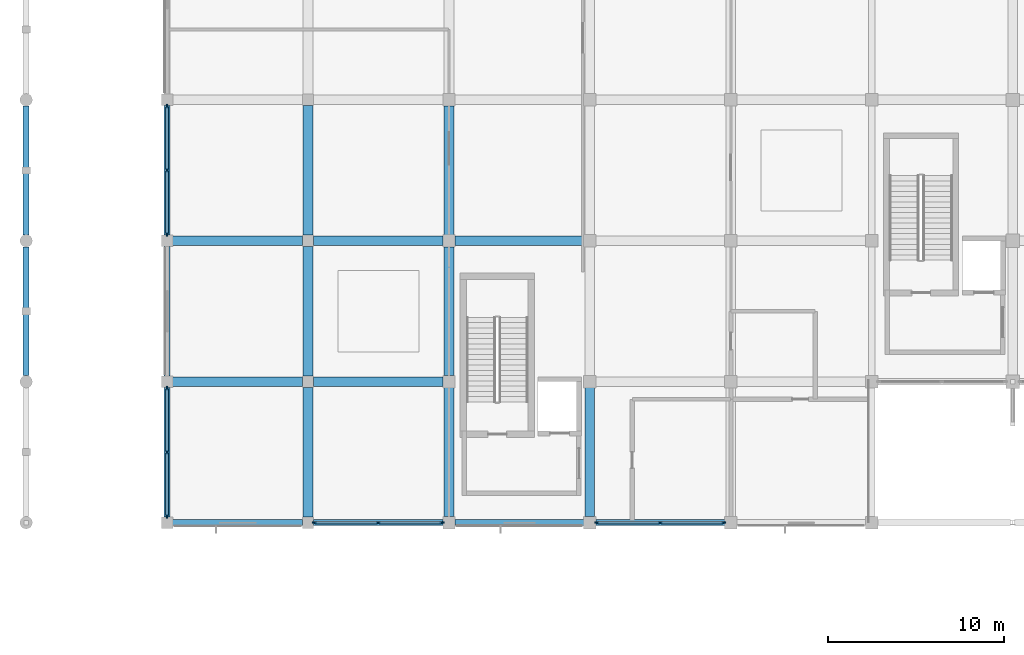
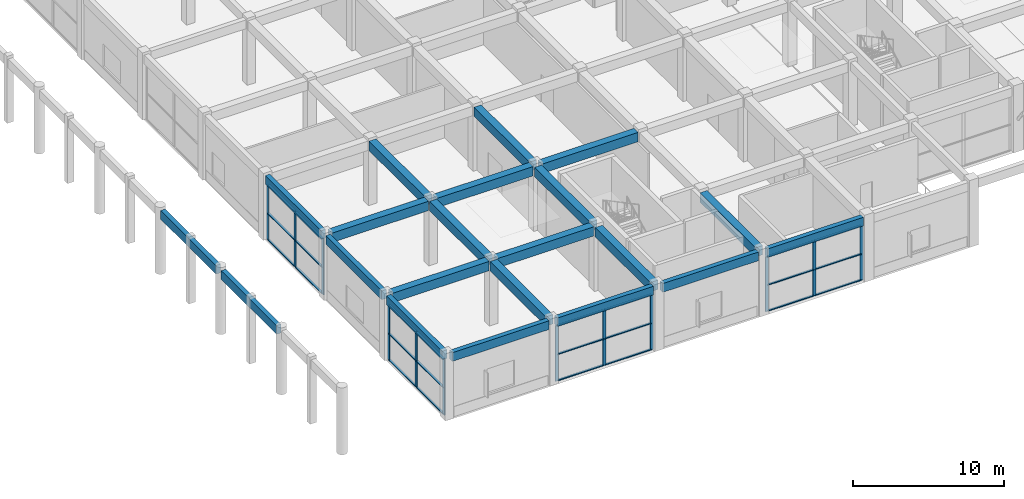
# One storey, part 9 of 69: 36 members, 21 beams, 4 elements without a shape of their own.
"""IFC4 building model written with IfcOpenShell, lengths in metres."""

from ifc_helpers import new_model, si_unit, direction, frame, origin, origin_2d, place, context, subcontext, project, spatial, rectangle, extrude, material, material_profile, profile_set, type_object, element, aggregate, save


model = new_model("IFC4")

# Units and contexts
model_context = context("Model", 3, precision=1e-05, world=origin(), true_north=direction((0.0, 1.0)))
body_context = subcontext(model_context, "Body", "Model", "MODEL_VIEW")
ifc_project = project(units=[si_unit("LENGTHUNIT", "METRE"), si_unit("AREAUNIT", "SQUARE_METRE"), si_unit("VOLUMEUNIT", "CUBIC_METRE"), si_unit("PLANEANGLEUNIT", "RADIAN"), si_unit("MASSUNIT", "GRAM", prefix="KILO")], contexts=[model_context])

# Site, building, storey
site_placement = place(None, origin())
site = spatial("IfcSite", under=ifc_project, at=site_placement, CompositionType="ELEMENT")
building_placement = place(site_placement, origin())
building = spatial("IfcBuilding", under=site, at=building_placement, Name="Kenh Van Central Station", CompositionType="ELEMENT")
storey_placement = place(building_placement, frame((0.0, 0.0, 5.39990234375)))
storey = spatial("IfcBuildingStorey", under=building, at=storey_placement, Name="L01", CompositionType="ELEMENT", Elevation=5.39990234375)

# Beams
ifc_material_1 = material(Name="Concrete C35/45", Category="concrete")
ifc_material_profile_1 = material_profile(ifc_material_1, rectangle(XDim=0.550048828125, YDim=0.75, at=origin_2d()), Name="RC 550x750")
ifc_profile_set_1 = profile_set([ifc_material_profile_1], Name="Concrete C35/45")
beam_type_1 = type_object("IfcBeamType", Name="BM-RC-550x750", PredefinedType="BEAM", material=ifc_profile_set_1)
beam_1_placement = place(storey_placement, frame((8.31494140625, 16.0, 4.81005859375), z_axis=(1.0, 0.0, 0.0), x_axis=(0.0, 1.0, 0.0)))
element("IfcBeam", 1, at=beam_1_placement, inside=storey, type_object=beam_type_1, Name="L01 beam 0637", PredefinedType="BEAM", context=body_context, shape_type="SweptSolid", body=[
    extrude(rectangle(XDim=0.550048828125, YDim=0.75, at=origin_2d()), origin(), (0.0, 0.0, 1.0), 7.3701171875),
])
beam_2_placement = place(storey_placement, frame((16.31494140625, 16.0, 4.81005859375), z_axis=(1.0, 0.0, 0.0), x_axis=(0.0, 1.0, 0.0)))
element("IfcBeam", 2, at=beam_2_placement, inside=storey, type_object=beam_type_1, Name="L01 beam 0638", PredefinedType="BEAM", context=body_context, shape_type="SweptSolid", body=[
    extrude(rectangle(XDim=0.550048828125, YDim=0.75, at=origin_2d()), origin(), (0.0, 0.0, 1.0), 7.344970703125),
])
beam_3_placement = place(storey_placement, frame((8.31494140625, 24.0, 4.81005859375), z_axis=(1.0, 0.0, 0.0), x_axis=(0.0, 1.0, 0.0)))
element("IfcBeam", 3, at=beam_3_placement, inside=storey, type_object=beam_type_1, Name="L01 beam 0656", PredefinedType="BEAM", context=body_context, shape_type="SweptSolid", body=[
    extrude(rectangle(XDim=0.550048828125, YDim=0.75, at=origin_2d()), origin(), (0.0, 0.0, 1.0), 7.3701171875),
])
beam_4_placement = place(storey_placement, frame((16.31494140625, 24.0, 4.81005859375), z_axis=(1.0, 0.0, 0.0), x_axis=(0.0, 1.0, 0.0)))
element("IfcBeam", 4, at=beam_4_placement, inside=storey, type_object=beam_type_1, Name="L01 beam 0657", PredefinedType="BEAM", context=body_context, shape_type="SweptSolid", body=[
    extrude(rectangle(XDim=0.550048828125, YDim=0.75, at=origin_2d()), origin(), (0.0, 0.0, 1.0), 7.344970703125),
])
beam_5_placement = place(storey_placement, frame((24.340087890625, 24.0, 4.76513671875), z_axis=(1.0, 0.0, 0.0), x_axis=(0.0, 1.0, 0.0)))
element("IfcBeam", 5, at=beam_5_placement, inside=storey, type_object=beam_type_1, Name="L01 beam 0658", PredefinedType="BEAM", context=body_context, shape_type="SweptSolid", body=[
    extrude(rectangle(XDim=0.550048828125, YDim=0.75, at=origin_2d()), origin(), (0.0, 0.0, 1.0), 7.31982421875),
])
for number, where, z_axis, x_axis, name in (
    (6, (16.0, 8.31494140625, 4.81005859375), (0.0, 1.0, 0.0), (-1.0, 0.0, 0.0), "L01 beam 0771"),
    (7, (16.0, 16.31494140625, 4.81005859375), (0.0, 1.0, 0.0), (-1.0, 0.0, 0.0), "L01 beam 0772"),
    (8, (16.0, 24.31494140625, 4.81005859375), (0.0, 1.0, 0.0), (-1.0, 0.0, 0.0), "L01 beam 0773"),
):
    element("IfcBeam", number, at=place(storey_placement, frame(where, z_axis=z_axis, x_axis=x_axis)), inside=storey, type_object=beam_type_1, Name=name, PredefinedType="BEAM", context=body_context, shape_type="SweptSolid", body=[
        extrude(rectangle(XDim=0.550048828125, YDim=0.75, at=origin_2d()), origin(), (0.0, 0.0, 1.0), 7.3701171875),
    ])
for number, where, z_axis, x_axis, name in (
    (9, (24.0, 8.340087890625, 4.76513671875), (0.0, 1.0, 0.0), (-1.0, 0.0, 0.0), "L01 beam 0778"),
    (10, (24.0, 16.340087890625, 4.76513671875), (0.0, 1.0, 0.0), (-1.0, 0.0, 0.0), "L01 beam 0779"),
    (11, (24.0, 24.340087890625, 4.76513671875), (0.0, 1.0, 0.0), (-1.0, 0.0, 0.0), "L01 beam 0780"),
    (12, (32.0, 8.340087890625, 4.76513671875), (0.0, 1.0, 0.0), (-1.0, 0.0, 0.0), "L01 beam 0785"),
):
    element("IfcBeam", number, at=place(storey_placement, frame(where, z_axis=z_axis, x_axis=x_axis)), inside=storey, type_object=beam_type_1, Name=name, PredefinedType="BEAM", context=body_context, shape_type="SweptSolid", body=[
        extrude(rectangle(XDim=0.550048828125, YDim=0.75, at=origin_2d()), origin(), (0.0, 0.0, 1.0), 7.31982421875),
    ])

# Curtain wall, members
ifc_material_2 = material(Name="Champagne anodised aluminium", Category="aluminium")
curtain_wall_type_1 = type_object("IfcCurtainWallType", Name="CW-RETL-B", PredefinedType="NOTDEFINED", material=ifc_material_2)
curtain_wall_1_placement = place(storey_placement, origin())
curtain_wall_1 = element("IfcCurtainWall", 13, at=curtain_wall_1_placement, inside=storey, type_object=curtain_wall_type_1, Name="L01 curtain wall 124", PredefinedType="NOTDEFINED")
ifc_material_profile_2 = material_profile(ifc_material_2, rectangle(XDim=0.0849609375, YDim=0.23193359375, at=origin_2d()), Name="AL 85x232")
ifc_profile_set_2 = profile_set([ifc_material_profile_2], Name="Champagne anodised aluminium")
member_type_1 = type_object("IfcMemberType", Name="CWM-65x160", PredefinedType="MULLION", material=ifc_profile_set_2)
member_1_placement = place(storey_placement, frame((16.367431640625, 8.0, 0.0), z_axis=(0.0, 0.0, 1.0), x_axis=(0.0, 1.0, 0.0)))
member_1 = element("IfcMember", 14, at=member_1_placement, type_object=member_type_1, Name="CW-06 mullion 1", PredefinedType="MULLION", context=body_context, shape_type="SweptSolid", body=[
    extrude(rectangle(XDim=0.0849609375, YDim=0.23193359375, at=origin_2d()), origin(), (0.0, 0.0, 1.0), 4.485107421875),
])
member_2_placement = place(storey_placement, frame((19.987548828125, 8.0, 0.0), z_axis=(0.0, 0.0, 1.0), x_axis=(0.0, 1.0, 0.0)))
member_2 = element("IfcMember", 15, at=member_2_placement, type_object=member_type_1, Name="CW-06 mullion 2", PredefinedType="MULLION", context=body_context, shape_type="SweptSolid", body=[
    extrude(rectangle(XDim=0.0849609375, YDim=0.23193359375, at=origin_2d()), origin(), (0.0, 0.0, 1.0), 4.485107421875),
])
member_3_placement = place(storey_placement, frame((23.607421875, 8.0, 0.0), z_axis=(0.0, 0.0, 1.0), x_axis=(0.0, 1.0, 0.0)))
member_3 = element("IfcMember", 16, at=member_3_placement, type_object=member_type_1, Name="CW-06 mullion 3", PredefinedType="MULLION", context=body_context, shape_type="SweptSolid", body=[
    extrude(rectangle(XDim=0.0849609375, YDim=0.23193359375, at=origin_2d()), origin(), (0.0, 0.0, 1.0), 4.485107421875),
])

curtain_wall_2_placement = place(storey_placement, origin())
curtain_wall_2 = element("IfcCurtainWall", 17, at=curtain_wall_2_placement, inside=storey, type_object=curtain_wall_type_1, Name="L01 curtain wall 125", PredefinedType="NOTDEFINED")
member_4_placement = place(storey_placement, frame((32.392578125, 8.0, 0.0), z_axis=(0.0, 0.0, 1.0), x_axis=(0.0, 1.0, 0.0)))
member_4 = element("IfcMember", 18, at=member_4_placement, type_object=member_type_1, Name="CW-06 mullion 1", PredefinedType="MULLION", context=body_context, shape_type="SweptSolid", body=[
    extrude(rectangle(XDim=0.0849609375, YDim=0.23193359375, at=origin_2d()), origin(), (0.0, 0.0, 1.0), 4.440185546875),
])
member_5_placement = place(storey_placement, frame((36.0, 8.0, 0.0), z_axis=(0.0, 0.0, 1.0), x_axis=(0.0, 1.0, 0.0)))
member_5 = element("IfcMember", 19, at=member_5_placement, type_object=member_type_1, Name="CW-06 mullion 2", PredefinedType="MULLION", context=body_context, shape_type="SweptSolid", body=[
    extrude(rectangle(XDim=0.0849609375, YDim=0.23193359375, at=origin_2d()), origin(), (0.0, 0.0, 1.0), 4.440185546875),
])
member_6_placement = place(storey_placement, frame((39.607421875, 8.0, 0.0), z_axis=(0.0, 0.0, 1.0), x_axis=(0.0, 1.0, 0.0)))
member_6 = element("IfcMember", 20, at=member_6_placement, type_object=member_type_1, Name="CW-06 mullion 3", PredefinedType="MULLION", context=body_context, shape_type="SweptSolid", body=[
    extrude(rectangle(XDim=0.0849609375, YDim=0.23193359375, at=origin_2d()), origin(), (0.0, 0.0, 1.0), 4.440185546875),
])

curtain_wall_type_2 = type_object("IfcCurtainWallType", Name="CW-RETL-A", PredefinedType="NOTDEFINED", material=ifc_material_2)
curtain_wall_3_placement = place(storey_placement, origin())
curtain_wall_3 = element("IfcCurtainWall", 21, at=curtain_wall_3_placement, inside=storey, type_object=curtain_wall_type_2, Name="L01 curtain wall 128", PredefinedType="NOTDEFINED")
member_7_placement = place(storey_placement, frame((8.0, 31.632568359375, 0.0), z_axis=(0.0, 0.0, 1.0), x_axis=(1.0, 0.0, 0.0)))
member_7 = element("IfcMember", 22, at=member_7_placement, type_object=member_type_1, Name="CW-05 mullion 1", PredefinedType="MULLION", context=body_context, shape_type="SweptSolid", body=[
    extrude(rectangle(XDim=0.0849609375, YDim=0.23193359375, at=origin_2d()), origin(), (0.0, 0.0, 1.0), 4.485107421875),
])
member_8_placement = place(storey_placement, frame((8.0, 28.0, 0.0), z_axis=(0.0, 0.0, 1.0), x_axis=(1.0, 0.0, 0.0)))
member_8 = element("IfcMember", 23, at=member_8_placement, type_object=member_type_1, Name="CW-05 mullion 2", PredefinedType="MULLION", context=body_context, shape_type="SweptSolid", body=[
    extrude(rectangle(XDim=0.0849609375, YDim=0.23193359375, at=origin_2d()), origin(), (0.0, 0.0, 1.0), 4.485107421875),
])
member_9_placement = place(storey_placement, frame((8.0, 24.367431640625, 0.0), z_axis=(0.0, 0.0, 1.0), x_axis=(1.0, 0.0, 0.0)))
member_9 = element("IfcMember", 24, at=member_9_placement, type_object=member_type_1, Name="CW-05 mullion 3", PredefinedType="MULLION", context=body_context, shape_type="SweptSolid", body=[
    extrude(rectangle(XDim=0.0849609375, YDim=0.23193359375, at=origin_2d()), origin(), (0.0, 0.0, 1.0), 4.485107421875),
])

curtain_wall_4_placement = place(storey_placement, origin())
curtain_wall_4 = element("IfcCurtainWall", 25, at=curtain_wall_4_placement, inside=storey, type_object=curtain_wall_type_2, Name="L01 curtain wall 129", PredefinedType="NOTDEFINED")
member_10_placement = place(storey_placement, frame((8.0, 15.632568359375, 0.0), z_axis=(0.0, 0.0, 1.0), x_axis=(1.0, 0.0, 0.0)))
member_10 = element("IfcMember", 26, at=member_10_placement, type_object=member_type_1, Name="CW-05 mullion 1", PredefinedType="MULLION", context=body_context, shape_type="SweptSolid", body=[
    extrude(rectangle(XDim=0.0849609375, YDim=0.23193359375, at=origin_2d()), origin(), (0.0, 0.0, 1.0), 4.485107421875),
])
member_11_placement = place(storey_placement, frame((8.0, 12.0, 0.0), z_axis=(0.0, 0.0, 1.0), x_axis=(1.0, 0.0, 0.0)))
member_11 = element("IfcMember", 27, at=member_11_placement, type_object=member_type_1, Name="CW-05 mullion 2", PredefinedType="MULLION", context=body_context, shape_type="SweptSolid", body=[
    extrude(rectangle(XDim=0.0849609375, YDim=0.23193359375, at=origin_2d()), origin(), (0.0, 0.0, 1.0), 4.485107421875),
])
member_12_placement = place(storey_placement, frame((8.0, 8.367431640625, 0.0), z_axis=(0.0, 0.0, 1.0), x_axis=(1.0, 0.0, 0.0)))
member_12 = element("IfcMember", 28, at=member_12_placement, type_object=member_type_1, Name="CW-05 mullion 3", PredefinedType="MULLION", context=body_context, shape_type="SweptSolid", body=[
    extrude(rectangle(XDim=0.0849609375, YDim=0.23193359375, at=origin_2d()), origin(), (0.0, 0.0, 1.0), 4.485107421875),
])

# Member
ifc_material_profile_3 = material_profile(ifc_material_2, rectangle(XDim=0.155029296875, YDim=0.072021484375, at=origin_2d()), Name="AL 155x72")
ifc_profile_set_3 = profile_set([ifc_material_profile_3], Name="Champagne anodised aluminium")
member_type_2 = type_object("IfcMemberType", Name="CWT-120x60", PredefinedType="USERDEFINED", material=ifc_profile_set_3)
member_13_placement = place(storey_placement, frame((16.409912109375, 8.0, 0.0361328125), z_axis=(1.0, 0.0, 0.0), x_axis=(0.0, 1.0, 0.0)))
member_13 = element("IfcMember", 29, at=member_13_placement, type_object=member_type_2, Name="CW-06 transom 1.1", ObjectType="TRANSOM", PredefinedType="USERDEFINED", context=body_context, shape_type="SweptSolid", body=[
    extrude(rectangle(XDim=0.155029296875, YDim=0.072021484375, at=origin_2d()), origin(), (0.0, 0.0, 1.0), 3.53515625),
])

member_14_placement = place(storey_placement, frame((16.409912109375, 8.0, 2.15283203125), z_axis=(1.0, 0.0, 0.0), x_axis=(0.0, 1.0, 0.0)))
member_14 = element("IfcMember", 30, at=member_14_placement, type_object=member_type_2, Name="CW-06 transom 1.2", ObjectType="TRANSOM", PredefinedType="USERDEFINED", context=body_context, shape_type="SweptSolid", body=[
    extrude(rectangle(XDim=0.155029296875, YDim=0.072021484375, at=origin_2d()), origin(), (0.0, 0.0, 1.0), 3.53515625),
])

member_15_placement = place(storey_placement, frame((16.409912109375, 8.0, 4.44921875), z_axis=(1.0, 0.0, 0.0), x_axis=(0.0, 1.0, 0.0)))
member_15 = element("IfcMember", 31, at=member_15_placement, type_object=member_type_2, Name="CW-06 transom 1.3", ObjectType="TRANSOM", PredefinedType="USERDEFINED", context=body_context, shape_type="SweptSolid", body=[
    extrude(rectangle(XDim=0.155029296875, YDim=0.072021484375, at=origin_2d()), origin(), (0.0, 0.0, 1.0), 3.53515625),
])

member_16_placement = place(storey_placement, frame((20.030029296875, 8.0, 0.0361328125), z_axis=(1.0, 0.0, 0.0), x_axis=(0.0, 1.0, 0.0)))
member_16 = element("IfcMember", 32, at=member_16_placement, type_object=member_type_2, Name="CW-06 transom 2.1", ObjectType="TRANSOM", PredefinedType="USERDEFINED", context=body_context, shape_type="SweptSolid", body=[
    extrude(rectangle(XDim=0.155029296875, YDim=0.072021484375, at=origin_2d()), origin(), (0.0, 0.0, 1.0), 3.534912109375),
])

member_17_placement = place(storey_placement, frame((20.030029296875, 8.0, 2.15283203125), z_axis=(1.0, 0.0, 0.0), x_axis=(0.0, 1.0, 0.0)))
member_17 = element("IfcMember", 33, at=member_17_placement, type_object=member_type_2, Name="CW-06 transom 2.2", ObjectType="TRANSOM", PredefinedType="USERDEFINED", context=body_context, shape_type="SweptSolid", body=[
    extrude(rectangle(XDim=0.155029296875, YDim=0.072021484375, at=origin_2d()), origin(), (0.0, 0.0, 1.0), 3.534912109375),
])

member_18_placement = place(storey_placement, frame((20.030029296875, 8.0, 4.44921875), z_axis=(1.0, 0.0, 0.0), x_axis=(0.0, 1.0, 0.0)))
member_18 = element("IfcMember", 34, at=member_18_placement, type_object=member_type_2, Name="CW-06 transom 2.3", ObjectType="TRANSOM", PredefinedType="USERDEFINED", context=body_context, shape_type="SweptSolid", body=[
    extrude(rectangle(XDim=0.155029296875, YDim=0.072021484375, at=origin_2d()), origin(), (0.0, 0.0, 1.0), 3.534912109375),
])

aggregate(curtain_wall_1, [member_1, member_2, member_3, member_13, member_14, member_15, member_16, member_17, member_18])

member_19_placement = place(storey_placement, frame((32.43505859375, 8.0, 0.0361328125), z_axis=(1.0, 0.0, 0.0), x_axis=(0.0, 1.0, 0.0)))
member_19 = element("IfcMember", 35, at=member_19_placement, type_object=member_type_2, Name="CW-06 transom 1.1", ObjectType="TRANSOM", PredefinedType="USERDEFINED", context=body_context, shape_type="SweptSolid", body=[
    extrude(rectangle(XDim=0.155029296875, YDim=0.072021484375, at=origin_2d()), origin(), (0.0, 0.0, 1.0), 3.5224609375),
])

member_20_placement = place(storey_placement, frame((32.43505859375, 8.0, 2.13134765625), z_axis=(1.0, 0.0, 0.0), x_axis=(0.0, 1.0, 0.0)))
member_20 = element("IfcMember", 36, at=member_20_placement, type_object=member_type_2, Name="CW-06 transom 1.2", ObjectType="TRANSOM", PredefinedType="USERDEFINED", context=body_context, shape_type="SweptSolid", body=[
    extrude(rectangle(XDim=0.155029296875, YDim=0.072021484375, at=origin_2d()), origin(), (0.0, 0.0, 1.0), 3.5224609375),
])

member_21_placement = place(storey_placement, frame((32.43505859375, 8.0, 4.404052734375), z_axis=(1.0, 0.0, 0.0), x_axis=(0.0, 1.0, 0.0)))
member_21 = element("IfcMember", 37, at=member_21_placement, type_object=member_type_2, Name="CW-06 transom 1.3", ObjectType="TRANSOM", PredefinedType="USERDEFINED", context=body_context, shape_type="SweptSolid", body=[
    extrude(rectangle(XDim=0.155029296875, YDim=0.072021484375, at=origin_2d()), origin(), (0.0, 0.0, 1.0), 3.5224609375),
])

member_22_placement = place(storey_placement, frame((36.04248046875, 8.0, 0.0361328125), z_axis=(1.0, 0.0, 0.0), x_axis=(0.0, 1.0, 0.0)))
member_22 = element("IfcMember", 38, at=member_22_placement, type_object=member_type_2, Name="CW-06 transom 2.1", ObjectType="TRANSOM", PredefinedType="USERDEFINED", context=body_context, shape_type="SweptSolid", body=[
    extrude(rectangle(XDim=0.155029296875, YDim=0.072021484375, at=origin_2d()), origin(), (0.0, 0.0, 1.0), 3.5224609375),
])

member_23_placement = place(storey_placement, frame((36.04248046875, 8.0, 2.13134765625), z_axis=(1.0, 0.0, 0.0), x_axis=(0.0, 1.0, 0.0)))
member_23 = element("IfcMember", 39, at=member_23_placement, type_object=member_type_2, Name="CW-06 transom 2.2", ObjectType="TRANSOM", PredefinedType="USERDEFINED", context=body_context, shape_type="SweptSolid", body=[
    extrude(rectangle(XDim=0.155029296875, YDim=0.072021484375, at=origin_2d()), origin(), (0.0, 0.0, 1.0), 3.5224609375),
])

member_24_placement = place(storey_placement, frame((36.04248046875, 8.0, 4.404052734375), z_axis=(1.0, 0.0, 0.0), x_axis=(0.0, 1.0, 0.0)))
member_24 = element("IfcMember", 40, at=member_24_placement, type_object=member_type_2, Name="CW-06 transom 2.3", ObjectType="TRANSOM", PredefinedType="USERDEFINED", context=body_context, shape_type="SweptSolid", body=[
    extrude(rectangle(XDim=0.155029296875, YDim=0.072021484375, at=origin_2d()), origin(), (0.0, 0.0, 1.0), 3.5224609375),
])

aggregate(curtain_wall_2, [member_4, member_5, member_6, member_19, member_20, member_21, member_22, member_23, member_24])

member_25_placement = place(storey_placement, frame((8.0, 31.590087890625, 0.0361328125), z_axis=(0.0, -1.0, 0.0), x_axis=(1.0, 0.0, 0.0)))
member_25 = element("IfcMember", 41, at=member_25_placement, type_object=member_type_2, Name="CW-05 transom 1.1", ObjectType="TRANSOM", PredefinedType="USERDEFINED", context=body_context, shape_type="SweptSolid", body=[
    extrude(rectangle(XDim=0.155029296875, YDim=0.072021484375, at=origin_2d()), origin(), (0.0, 0.0, 1.0), 3.547607421875),
])

member_26_placement = place(storey_placement, frame((8.0, 31.590087890625, 2.15283203125), z_axis=(0.0, -1.0, 0.0), x_axis=(1.0, 0.0, 0.0)))
member_26 = element("IfcMember", 42, at=member_26_placement, type_object=member_type_2, Name="CW-05 transom 1.2", ObjectType="TRANSOM", PredefinedType="USERDEFINED", context=body_context, shape_type="SweptSolid", body=[
    extrude(rectangle(XDim=0.155029296875, YDim=0.072021484375, at=origin_2d()), origin(), (0.0, 0.0, 1.0), 3.547607421875),
])

member_27_placement = place(storey_placement, frame((8.0, 31.590087890625, 4.44921875), z_axis=(0.0, -1.0, 0.0), x_axis=(1.0, 0.0, 0.0)))
member_27 = element("IfcMember", 43, at=member_27_placement, type_object=member_type_2, Name="CW-05 transom 1.3", ObjectType="TRANSOM", PredefinedType="USERDEFINED", context=body_context, shape_type="SweptSolid", body=[
    extrude(rectangle(XDim=0.155029296875, YDim=0.072021484375, at=origin_2d()), origin(), (0.0, 0.0, 1.0), 3.547607421875),
])

member_28_placement = place(storey_placement, frame((8.0, 27.95751953125, 0.0361328125), z_axis=(0.0, -1.0, 0.0), x_axis=(1.0, 0.0, 0.0)))
member_28 = element("IfcMember", 44, at=member_28_placement, type_object=member_type_2, Name="CW-05 transom 2.1", ObjectType="TRANSOM", PredefinedType="USERDEFINED", context=body_context, shape_type="SweptSolid", body=[
    extrude(rectangle(XDim=0.155029296875, YDim=0.072021484375, at=origin_2d()), origin(), (0.0, 0.0, 1.0), 3.547607421875),
])

member_29_placement = place(storey_placement, frame((8.0, 27.95751953125, 2.15283203125), z_axis=(0.0, -1.0, 0.0), x_axis=(1.0, 0.0, 0.0)))
member_29 = element("IfcMember", 45, at=member_29_placement, type_object=member_type_2, Name="CW-05 transom 2.2", ObjectType="TRANSOM", PredefinedType="USERDEFINED", context=body_context, shape_type="SweptSolid", body=[
    extrude(rectangle(XDim=0.155029296875, YDim=0.072021484375, at=origin_2d()), origin(), (0.0, 0.0, 1.0), 3.547607421875),
])

member_30_placement = place(storey_placement, frame((8.0, 27.95751953125, 4.44921875), z_axis=(0.0, -1.0, 0.0), x_axis=(1.0, 0.0, 0.0)))
member_30 = element("IfcMember", 46, at=member_30_placement, type_object=member_type_2, Name="CW-05 transom 2.3", ObjectType="TRANSOM", PredefinedType="USERDEFINED", context=body_context, shape_type="SweptSolid", body=[
    extrude(rectangle(XDim=0.155029296875, YDim=0.072021484375, at=origin_2d()), origin(), (0.0, 0.0, 1.0), 3.547607421875),
])

aggregate(curtain_wall_3, [member_7, member_8, member_9, member_25, member_26, member_27, member_28, member_29, member_30])

member_31_placement = place(storey_placement, frame((8.0, 15.590087890625, 0.0361328125), z_axis=(0.0, -1.0, 0.0), x_axis=(1.0, 0.0, 0.0)))
member_31 = element("IfcMember", 47, at=member_31_placement, type_object=member_type_2, Name="CW-05 transom 1.1", ObjectType="TRANSOM", PredefinedType="USERDEFINED", context=body_context, shape_type="SweptSolid", body=[
    extrude(rectangle(XDim=0.155029296875, YDim=0.072021484375, at=origin_2d()), origin(), (0.0, 0.0, 1.0), 3.547607421875),
])

member_32_placement = place(storey_placement, frame((8.0, 15.590087890625, 2.15283203125), z_axis=(0.0, -1.0, 0.0), x_axis=(1.0, 0.0, 0.0)))
member_32 = element("IfcMember", 48, at=member_32_placement, type_object=member_type_2, Name="CW-05 transom 1.2", ObjectType="TRANSOM", PredefinedType="USERDEFINED", context=body_context, shape_type="SweptSolid", body=[
    extrude(rectangle(XDim=0.155029296875, YDim=0.072021484375, at=origin_2d()), origin(), (0.0, 0.0, 1.0), 3.547607421875),
])

member_33_placement = place(storey_placement, frame((8.0, 15.590087890625, 4.44921875), z_axis=(0.0, -1.0, 0.0), x_axis=(1.0, 0.0, 0.0)))
member_33 = element("IfcMember", 49, at=member_33_placement, type_object=member_type_2, Name="CW-05 transom 1.3", ObjectType="TRANSOM", PredefinedType="USERDEFINED", context=body_context, shape_type="SweptSolid", body=[
    extrude(rectangle(XDim=0.155029296875, YDim=0.072021484375, at=origin_2d()), origin(), (0.0, 0.0, 1.0), 3.547607421875),
])

member_34_placement = place(storey_placement, frame((8.0, 11.95751953125, 0.0361328125), z_axis=(0.0, -1.0, 0.0), x_axis=(1.0, 0.0, 0.0)))
member_34 = element("IfcMember", 50, at=member_34_placement, type_object=member_type_2, Name="CW-05 transom 2.1", ObjectType="TRANSOM", PredefinedType="USERDEFINED", context=body_context, shape_type="SweptSolid", body=[
    extrude(rectangle(XDim=0.155029296875, YDim=0.072021484375, at=origin_2d()), origin(), (0.0, 0.0, 1.0), 3.547607421875),
])

member_35_placement = place(storey_placement, frame((8.0, 11.95751953125, 2.15283203125), z_axis=(0.0, -1.0, 0.0), x_axis=(1.0, 0.0, 0.0)))
member_35 = element("IfcMember", 51, at=member_35_placement, type_object=member_type_2, Name="CW-05 transom 2.2", ObjectType="TRANSOM", PredefinedType="USERDEFINED", context=body_context, shape_type="SweptSolid", body=[
    extrude(rectangle(XDim=0.155029296875, YDim=0.072021484375, at=origin_2d()), origin(), (0.0, 0.0, 1.0), 3.547607421875),
])

member_36_placement = place(storey_placement, frame((8.0, 11.95751953125, 4.44921875), z_axis=(0.0, -1.0, 0.0), x_axis=(1.0, 0.0, 0.0)))
member_36 = element("IfcMember", 52, at=member_36_placement, type_object=member_type_2, Name="CW-05 transom 2.3", ObjectType="TRANSOM", PredefinedType="USERDEFINED", context=body_context, shape_type="SweptSolid", body=[
    extrude(rectangle(XDim=0.155029296875, YDim=0.072021484375, at=origin_2d()), origin(), (0.0, 0.0, 1.0), 3.547607421875),
])

aggregate(curtain_wall_4, [member_10, member_11, member_12, member_31, member_32, member_33, member_34, member_35, member_36])

# Beams
ifc_material_profile_4 = material_profile(ifc_material_1, rectangle(XDim=0.35009765625, YDim=0.699951171875, at=origin_2d()), Name="RC 350x700")
ifc_profile_set_4 = profile_set([ifc_material_profile_4], Name="Concrete C35/45")
beam_type_2 = type_object("IfcBeamType", Name="SPD-RC-350x700", PredefinedType="SPANDREL", material=ifc_profile_set_4)
beam_6_placement = place(storey_placement, frame((8.31494140625, 8.0, 4.835205078125), z_axis=(1.0, 0.0, 0.0), x_axis=(0.0, 1.0, 0.0)))
element("IfcBeam", 53, at=beam_6_placement, inside=storey, type_object=beam_type_2, Name="L01 beam 0621", PredefinedType="SPANDREL", context=body_context, shape_type="SweptSolid", body=[
    extrude(rectangle(XDim=0.35009765625, YDim=0.699951171875, at=origin_2d()), origin(), (0.0, 0.0, 1.0), 7.3701171875),
])
beam_7_placement = place(storey_placement, frame((16.31494140625, 8.0, 4.835205078125), z_axis=(1.0, 0.0, 0.0), x_axis=(0.0, 1.0, 0.0)))
element("IfcBeam", 54, at=beam_7_placement, inside=storey, type_object=beam_type_2, Name="L01 beam 0622", PredefinedType="SPANDREL", context=body_context, shape_type="SweptSolid", body=[
    extrude(rectangle(XDim=0.35009765625, YDim=0.699951171875, at=origin_2d()), origin(), (0.0, 0.0, 1.0), 7.344970703125),
])
for number, where, z_axis, x_axis, name in (
    (55, (24.340087890625, 8.0, 4.7900390625), (1.0, 0.0, 0.0), (0.0, 1.0, 0.0), "L01 beam 0623"),
    (56, (32.340087890625, 8.0, 4.7900390625), (1.0, 0.0, 0.0), (0.0, 1.0, 0.0), "L01 beam 0624"),
    (57, (0.0, 16.340087890625, 4.830078125), (0.0, 1.0, 0.0), (-1.0, 0.0, 0.0), "L01 beam 0758"),
    (58, (0.0, 24.340087890625, 4.830078125), (0.0, 1.0, 0.0), (-1.0, 0.0, 0.0), "L01 beam 0759"),
):
    element("IfcBeam", number, at=place(storey_placement, frame(where, z_axis=z_axis, x_axis=x_axis)), inside=storey, type_object=beam_type_2, Name=name, PredefinedType="SPANDREL", context=body_context, shape_type="SweptSolid", body=[
        extrude(rectangle(XDim=0.35009765625, YDim=0.699951171875, at=origin_2d()), origin(), (0.0, 0.0, 1.0), 7.31982421875),
    ])
for number, where, z_axis, x_axis, name in (
    (59, (8.0, 8.31494140625, 4.835205078125), (0.0, 1.0, 0.0), (-1.0, 0.0, 0.0), "L01 beam 0764"),
    (60, (8.0, 16.31494140625, 4.835205078125), (0.0, 1.0, 0.0), (-1.0, 0.0, 0.0), "L01 beam 0765"),
    (61, (8.0, 24.31494140625, 4.835205078125), (0.0, 1.0, 0.0), (-1.0, 0.0, 0.0), "L01 beam 0766"),
):
    element("IfcBeam", number, at=place(storey_placement, frame(where, z_axis=z_axis, x_axis=x_axis)), inside=storey, type_object=beam_type_2, Name=name, PredefinedType="SPANDREL", context=body_context, shape_type="SweptSolid", body=[
        extrude(rectangle(XDim=0.35009765625, YDim=0.699951171875, at=origin_2d()), origin(), (0.0, 0.0, 1.0), 7.3701171875),
    ])

save(model, "model.ifc")
